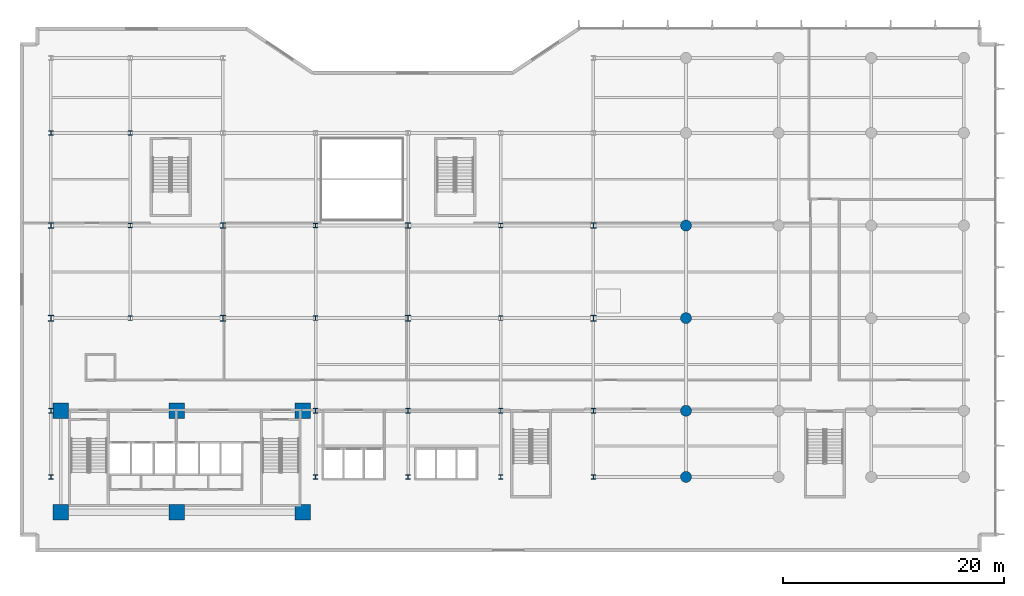
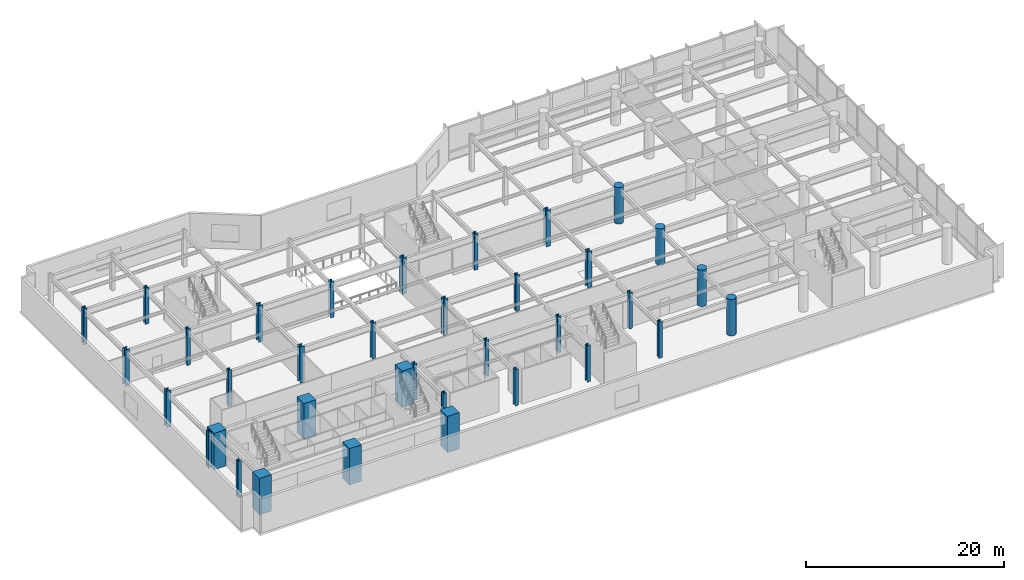
# One storey, part 1 of 26: 36 columns.
"""IFC4 building model written with IfcOpenShell, lengths in metres."""

import ifcopenshell
import ifcopenshell.guid

model = None  # the IFC model being written
_history = None  # IfcOwnerHistory: only IFC2X3 demands one
_inside = {}  # id of a spatial element -> (the spatial element, [elements in it])
_under = {}  # id of a project, library or spatial element -> (it, [spatial elements below it])
_declared = {}  # id of a project -> (the project, [libraries it declares])
_typed = {}  # id of a type object -> (the type object, [elements of that type])
_made_of = {}  # id of a material, layer set ... -> (it, [elements and type objects made of it])


def new_model(schema):
    """Start an empty IFC model of exactly this schema.

    Asked for "IFC4X3", IfcOpenShell would pick the latest addendum, in which some entities
    have other attributes; the version numbers below select the first issue.
    IFC2X3 requires an IfcOwnerHistory on every rooted entity: one is made here for all.
    """
    global model, _history
    if schema == "IFC4X3":
        model = ifcopenshell.file(schema_version=(4, 3, 0, 0))
    else:
        model = ifcopenshell.file(schema=schema)
    _inside.clear()
    _under.clear()
    _declared.clear()
    _typed.clear()
    _made_of.clear()
    _history = None
    if model.schema == "IFC2X3":
        org = make("IfcOrganization", Name="unknown")
        user = make(
            "IfcPersonAndOrganization",
            ThePerson=make("IfcPerson", FamilyName="unknown"),
            TheOrganization=org,
        )
        app = make(
            "IfcApplication",
            ApplicationDeveloper=org,
            Version="unknown",
            ApplicationFullName="unknown",
            ApplicationIdentifier="unknown",
        )
        _history = make(
            "IfcOwnerHistory",
            OwningUser=user,
            OwningApplication=app,
            ChangeAction="ADDED",
            CreationDate=0,
        )
    return model


def make(cls, **values):
    """One entity of the class cls with the attributes given. An attribute that is None is left unset."""
    return model.create_entity(
        cls, **{name: value for name, value in values.items() if value is not None}
    )


def rooted(cls, **values):
    """An entity with a GlobalId (a new one), such as an element, a storey or a relation."""
    return make(cls, GlobalId=ifcopenshell.guid.new(), OwnerHistory=_history, **values)


def si_unit(unit_type, name, prefix=None):
    """IfcSIUnit, for example si_unit("LENGTHUNIT", "METRE", prefix="MILLI")."""
    return make("IfcSIUnit", UnitType=unit_type, Prefix=prefix, Name=name)


def assignment(units):
    """IfcUnitAssignment: the units of a project."""
    return None if units is None else make("IfcUnitAssignment", Units=units)


def point(xyz):
    """IfcCartesianPoint."""
    return None if xyz is None else make("IfcCartesianPoint", Coordinates=xyz)


def direction(xyz):
    """IfcDirection."""
    return None if xyz is None else make("IfcDirection", DirectionRatios=xyz)


def frame(location, z_axis=None, x_axis=None):
    """IfcAxis2Placement3D, a coordinate frame: its origin and axes. An axis left out is left unset."""
    return make(
        "IfcAxis2Placement3D",
        Location=point(location),
        Axis=direction(z_axis),
        RefDirection=direction(x_axis),
    )


def frame_2d(location, x_axis=None):
    """IfcAxis2Placement2D, a coordinate frame in the plane: its origin and x axis."""
    return make(
        "IfcAxis2Placement2D", Location=point(location), RefDirection=direction(x_axis)
    )


def origin():
    """The frame at (0, 0, 0) with its axes left unset."""
    return frame((0.0, 0.0, 0.0))


def origin_2d():
    """The frame at (0, 0) in the plane with its x axis left unset."""
    return frame_2d((0.0, 0.0))


def place(relative_to, where):
    """IfcLocalPlacement: puts the frame where relative to a parent placement (None: the world)."""
    return make(
        "IfcLocalPlacement", PlacementRelTo=relative_to, RelativePlacement=where
    )


def context(
    kind, dimensions, precision=None, world=None, true_north=None, identifier=None
):
    """IfcGeometricRepresentationContext, for example the 3D "Model" context."""
    return make(
        "IfcGeometricRepresentationContext",
        ContextIdentifier=identifier,
        ContextType=kind,
        CoordinateSpaceDimension=dimensions,
        Precision=precision,
        WorldCoordinateSystem=world,
        TrueNorth=true_north,
    )


def subcontext(parent, identifier, kind, view, scale=None):
    """IfcGeometricRepresentationSubContext, for example "Body" below "Model"."""
    return make(
        "IfcGeometricRepresentationSubContext",
        ContextIdentifier=identifier,
        ContextType=kind,
        ParentContext=parent,
        TargetScale=scale,
        TargetView=view,
    )


def project(units=None, contexts=None):
    """IfcProject with its units and contexts."""
    return rooted(
        "IfcProject",
        Name="project",
        RepresentationContexts=contexts,
        UnitsInContext=assignment(units),
    )


def spatial(cls, under=None, at=None, **own):
    """A site, building, storey or space (cls), placed at a placement, below another one or the project."""
    s = rooted(cls, ObjectPlacement=at, **own)
    if under is not None:
        _under.setdefault(under.id(), (under, []))[1].append(s)
    return s


def profile(cls, at=None, kind="AREA", **sizes):
    """A parametric profile (cls). Its sizes go by their IFC names, for example OverallWidth=200.0."""
    return make(cls, ProfileType=kind, Position=at, **sizes)


def rectangle(**sizes):
    """IfcRectangleProfileDef."""
    return profile("IfcRectangleProfileDef", **sizes)


def circle(**sizes):
    """IfcCircleProfileDef."""
    return profile("IfcCircleProfileDef", **sizes)


def i_section(**sizes):
    """IfcIShapeProfileDef."""
    return profile("IfcIShapeProfileDef", **sizes)


def extrude(swept, where, along, depth):
    """IfcExtrudedAreaSolid: the profile swept, set in the frame where, extruded along a direction by depth."""
    return make(
        "IfcExtrudedAreaSolid",
        SweptArea=swept,
        Position=where,
        ExtrudedDirection=direction(along),
        Depth=depth,
    )


def shape(context_of_items, identifier, shape_type, items):
    """IfcShapeRepresentation: the items that make up one representation, for example the "Body"."""
    return make(
        "IfcShapeRepresentation",
        ContextOfItems=context_of_items,
        RepresentationIdentifier=identifier,
        RepresentationType=shape_type,
        Items=items,
    )


def material(Name=None, Category=None):
    """IfcMaterial."""
    return make("IfcMaterial", Name=Name, Category=Category)


def material_profile(
    of_material, cross_section, Name=None, Category=None, Priority=None
):
    """IfcMaterialProfile: a cross section and its material."""
    return make(
        "IfcMaterialProfile",
        Name=Name,
        Material=of_material,
        Profile=cross_section,
        Priority=Priority,
        Category=Category,
    )


def profile_set(profiles, Name=None, composite=None):
    """IfcMaterialProfileSet."""
    return make(
        "IfcMaterialProfileSet",
        Name=Name,
        MaterialProfiles=profiles,
        CompositeProfile=composite,
    )


def made_of(thing, what):
    """Note that an element or type object is made of a material, layer set ...; save() writes the relation."""
    if what is not None:
        _made_of.setdefault(what.id(), (what, []))[1].append(thing)
    return thing


def type_object(cls, material=None, **own):
    """A type object (cls), such as IfcWallType, which elements share."""
    return made_of(rooted(cls, **own), material)


def element(
    cls,
    number,
    at=None,
    inside=None,
    cuts=None,
    type_object=None,
    material=None,
    context=None,
    identifier="Body",
    shape_type=None,
    held_by="IfcProductDefinitionShape",
    body=None,
    shapes=None,
    **own,
):
    """One element of the class cls, such as IfcWall. Its Tag is "e" and its number.

    at: its placement. inside: the storey or other place that contains it. cuts: it is an
    opening in that element (IfcRelVoidsElement). A single representation is given by context,
    identifier, shape_type and body (its items); several are given by shapes. held_by: the class
    of the entity that holds the representations. save() writes the other relations.
    """
    e = rooted(cls, Tag="e%d" % number, ObjectPlacement=at, **own)
    if body is not None:
        shapes = [shape(context, identifier, shape_type, body)]
    if shapes is not None:
        e.Representation = make(held_by, Representations=shapes)
    if inside is not None:
        _inside.setdefault(inside.id(), (inside, []))[1].append(e)
    if cuts is not None:
        rooted(
            "IfcRelVoidsElement", RelatingBuildingElement=cuts, RelatedOpeningElement=e
        )
    if type_object is not None:
        _typed.setdefault(type_object.id(), (type_object, []))[1].append(e)
    return made_of(e, material)


def aggregate(whole, parts):
    """IfcRelAggregates: a whole, such as a stair, and the parts it consists of."""
    return rooted("IfcRelAggregates", RelatingObject=whole, RelatedObjects=parts)


def save(model, path):
    """Write the relations noted so far, then the file.

    IfcRelAggregates (storeys below a building ...), IfcRelContainedInSpatialStructure (elements
    in a storey), IfcRelDefinesByType, IfcRelAssociatesMaterial and IfcRelDeclares: one each for
    every whole, place, type object, material and project.
    """
    for whole, parts in _under.values():
        aggregate(whole, parts)
    for where, things in _inside.values():
        rooted(
            "IfcRelContainedInSpatialStructure",
            RelatedElements=things,
            RelatingStructure=where,
        )
    for kind, things in _typed.values():
        rooted("IfcRelDefinesByType", RelatedObjects=things, RelatingType=kind)
    for what, things in _made_of.values():
        rooted("IfcRelAssociatesMaterial", RelatedObjects=things, RelatingMaterial=what)
    for by, libraries in _declared.values():
        rooted("IfcRelDeclares", RelatingContext=by, RelatedDefinitions=libraries)
    model.write(path)


model = new_model("IFC4")

# Units and contexts
model_context = context("Model", 3, precision=1e-05, world=origin(), true_north=direction((0.0, 1.0)))
body_context = subcontext(model_context, "Body", "Model", "MODEL_VIEW")
ifc_project = project(units=[si_unit("LENGTHUNIT", "METRE"), si_unit("AREAUNIT", "SQUARE_METRE"), si_unit("VOLUMEUNIT", "CUBIC_METRE"), si_unit("PLANEANGLEUNIT", "RADIAN"), si_unit("MASSUNIT", "GRAM", prefix="KILO")], contexts=[model_context])

# Site, building, storey
site_placement = place(None, origin())
site = spatial("IfcSite", under=ifc_project, at=site_placement, CompositionType="ELEMENT")
building_placement = place(site_placement, origin())
building = spatial("IfcBuilding", under=site, at=building_placement, Name="Varnakote Quay Hospital", CompositionType="ELEMENT")
storey_placement = place(building_placement, frame((0.0, 0.0, 4.5)))
storey = spatial("IfcBuildingStorey", under=building, at=storey_placement, Name="L01", CompositionType="ELEMENT", Elevation=4.5)

# Columns
ifc_material_1 = material(Name="Concrete N80 (f'c 80 MPa)", Category="concrete")
ifc_material_profile_1 = material_profile(ifc_material_1, rectangle(XDim=1.39990234375, YDim=1.39990234375, at=origin_2d()), Name="RC-COL-1400x1400")
ifc_profile_set_1 = profile_set([ifc_material_profile_1], Name="Concrete N80 (f'c 80 MPa)")
column_type_1 = type_object("IfcColumnType", Name="COL-RC-1400", PredefinedType="COLUMN", material=ifc_profile_set_1)
for number, where, z_axis, x_axis, name in (
    (1, (2.10009765625, 2.800048828125, 0.0), (0.0, 0.0, 1.0), (1.0, 0.0, 0.0), "L01 Structural Column C-2-3"),
    (2, (12.6201171875, 2.800048828125, 0.0), (0.0, 0.0, 1.0), (1.0, 0.0, 0.0), "L01 Structural Column C-13-3"),
    (3, (24.050048828125, 2.800048828125, 0.0), (0.0, 0.0, 1.0), (1.0, 0.0, 0.0), "L01 Structural Column C-24-3"),
    (4, (2.10009765625, 12.0, 0.0), (0.0, 0.0, 1.0), (1.0, 0.0, 0.0), "L01 Structural Column C-2-12"),
    (5, (12.6201171875, 12.0, 0.0), (0.0, 0.0, 1.0), (1.0, 0.0, 0.0), "L01 Structural Column C-13-12"),
    (6, (24.050048828125, 12.0, 0.0), (0.0, 0.0, 1.0), (1.0, 0.0, 0.0), "L01 Structural Column C-24-12"),
):
    element("IfcColumn", number, at=place(storey_placement, frame(where, z_axis=z_axis, x_axis=x_axis)), inside=storey, type_object=column_type_1, Name=name, PredefinedType="COLUMN", context=body_context, shape_type="SweptSolid", body=[
        extrude(rectangle(XDim=1.39990234375, YDim=1.39990234375, at=origin_2d()), origin(), (0.0, 0.0, 1.0), 4.5),
    ])
ifc_material_2 = material(Name="Concrete N65 (f'c 65 MPa)", Category="concrete")
ifc_material_profile_2 = material_profile(ifc_material_2, circle(Radius=0.5, at=origin_2d()), Name="RC-COL-D1000")
ifc_profile_set_2 = profile_set([ifc_material_profile_2], Name="Concrete N65 (f'c 65 MPa)")
column_type_2 = type_object("IfcColumnType", Name="COL-RC-D1000", PredefinedType="COLUMN", material=ifc_profile_set_2)
for number, where, z_axis, x_axis, name in (
    (7, (58.800048828125, 6.0, 0.0), (0.0, 0.0, 1.0), (1.0, 0.0, 0.0), "L01 Structural Column C-59-6"),
    (8, (58.800048828125, 12.0, 0.0), (0.0, 0.0, 1.0), (1.0, 0.0, 0.0), "L01 Structural Column C-59-12"),
    (9, (58.800048828125, 20.39990234375, 0.0), (0.0, 0.0, 1.0), (1.0, 0.0, 0.0), "L01 Structural Column C-59-20"),
    (10, (58.800048828125, 28.800048828125, 0.0), (0.0, 0.0, 1.0), (1.0, 0.0, 0.0), "L01 Structural Column C-59-29"),
):
    element("IfcColumn", number, at=place(storey_placement, frame(where, z_axis=z_axis, x_axis=x_axis)), inside=storey, type_object=column_type_2, Name=name, PredefinedType="COLUMN", context=body_context, shape_type="SweptSolid", body=[
        extrude(circle(Radius=0.5, at=origin_2d()), origin(), (0.0, 0.0, 1.0), 4.5),
    ])
ifc_material_3 = material(Name="Structural steel AS/NZS 3678 Grade 350 (fy 340 MPa)", Category="steel")
ifc_material_profile_3 = material_profile(ifc_material_3, i_section(OverallWidth=0.39990234375, OverallDepth=0.419921875, WebThickness=0.02490234375, FlangeThickness=0.0400390625, at=origin_2d()), Name="400WC328")
ifc_profile_set_3 = profile_set([ifc_material_profile_3], Name="Structural steel AS/NZS 3678 Grade 350 (fy 340 MPa)")
column_type_3 = type_object("IfcColumnType", Name="COL-STL-400WC328", PredefinedType="COLUMN", material=ifc_profile_set_3)
for number, where, z_axis, x_axis, name in (
    (11, (1.199951171875, 6.0, 0.0), (0.0, 0.0, 1.0), (1.0, 0.0, 0.0), "L01 Structural Column C-1-6"),
    (12, (25.199951171875, 6.0, 0.0), (0.0, 0.0, 1.0), (1.0, 0.0, 0.0), "L01 Structural Column C-25-6"),
    (13, (33.60009765625, 6.0, 0.0), (0.0, 0.0, 1.0), (1.0, 0.0, 0.0), "L01 Structural Column C-34-6"),
    (14, (42.0, 6.0, 0.0), (0.0, 0.0, 1.0), (1.0, 0.0, 0.0), "L01 Structural Column C-42-6"),
    (15, (50.39990234375, 6.0, 0.0), (0.0, 0.0, 1.0), (1.0, 0.0, 0.0), "L01 Structural Column C-50-6"),
    (16, (1.199951171875, 12.0, 0.0), (0.0, 0.0, 1.0), (1.0, 0.0, 0.0), "L01 Structural Column C-1-12"),
    (17, (25.199951171875, 12.0, 0.0), (0.0, 0.0, 1.0), (1.0, 0.0, 0.0), "L01 Structural Column C-25-12"),
    (18, (33.60009765625, 12.0, 0.0), (0.0, 0.0, 1.0), (1.0, 0.0, 0.0), "L01 Structural Column C-34-12"),
    (19, (42.0, 12.0, 0.0), (0.0, 0.0, 1.0), (1.0, 0.0, 0.0), "L01 Structural Column C-42-12"),
    (20, (50.39990234375, 12.0, 0.0), (0.0, 0.0, 1.0), (1.0, 0.0, 0.0), "L01 Structural Column C-50-12"),
    (21, (8.39990234375, 20.39990234375, 0.0), (0.0, 0.0, 1.0), (1.0, 0.0, 0.0), "L01 Structural Column C-8-20"),
    (22, (25.199951171875, 20.39990234375, 0.0), (0.0, 0.0, 1.0), (1.0, 0.0, 0.0), "L01 Structural Column C-25-20"),
    (23, (42.0, 20.39990234375, 0.0), (0.0, 0.0, 1.0), (1.0, 0.0, 0.0), "L01 Structural Column C-42-20"),
    (24, (8.39990234375, 28.800048828125, 0.0), (0.0, 0.0, 1.0), (1.0, 0.0, 0.0), "L01 Structural Column C-8-29"),
    (25, (25.199951171875, 28.800048828125, 0.0), (0.0, 0.0, 1.0), (1.0, 0.0, 0.0), "L01 Structural Column C-25-29"),
    (26, (42.0, 28.800048828125, 0.0), (0.0, 0.0, 1.0), (1.0, 0.0, 0.0), "L01 Structural Column C-42-29"),
    (27, (1.199951171875, 37.199951171875, 0.0), (0.0, 0.0, 1.0), (1.0, 0.0, 0.0), "L01 Structural Column C-1-37"),
    (28, (8.39990234375, 37.199951171875, 0.0), (0.0, 0.0, 1.0), (1.0, 0.0, 0.0), "L01 Structural Column C-8-37"),
):
    element("IfcColumn", number, at=place(storey_placement, frame(where, z_axis=z_axis, x_axis=x_axis)), inside=storey, type_object=column_type_3, Name=name, PredefinedType="COLUMN", context=body_context, shape_type="SweptSolid", body=[
        extrude(i_section(OverallWidth=0.39990234375, OverallDepth=0.419921875, WebThickness=0.02490234375, FlangeThickness=0.0400390625, at=origin_2d()), origin(), (0.0, 0.0, 1.0), 4.5),
    ])
ifc_material_4 = material(Name="Structural steel AS/NZS 3678 Grade 350 (fy 340 MPa)", Category="steel")
ifc_material_profile_4 = material_profile(ifc_material_4, i_section(OverallWidth=0.5, OverallDepth=0.530029296875, WebThickness=0.028076171875, FlangeThickness=0.044921875, at=origin_2d()), Name="500WC440")
ifc_profile_set_4 = profile_set([ifc_material_profile_4], Name="Structural steel AS/NZS 3678 Grade 350 (fy 340 MPa)")
column_type_4 = type_object("IfcColumnType", Name="COL-STL-500WC440", PredefinedType="COLUMN", material=ifc_profile_set_4)
for number, where, z_axis, x_axis, name in (
    (29, (1.199951171875, 20.39990234375, 0.0), (0.0, 0.0, 1.0), (1.0, 0.0, 0.0), "L01 Structural Column C-1-20"),
    (30, (16.800048828125, 20.39990234375, 0.0), (0.0, 0.0, 1.0), (1.0, 0.0, 0.0), "L01 Structural Column C-17-20"),
    (31, (33.60009765625, 20.39990234375, 0.0), (0.0, 0.0, 1.0), (1.0, 0.0, 0.0), "L01 Structural Column C-34-20"),
    (32, (50.39990234375, 20.39990234375, 0.0), (0.0, 0.0, 1.0), (1.0, 0.0, 0.0), "L01 Structural Column C-50-20"),
    (33, (1.199951171875, 28.800048828125, 0.0), (0.0, 0.0, 1.0), (1.0, 0.0, 0.0), "L01 Structural Column C-1-29"),
    (34, (16.800048828125, 28.800048828125, 0.0), (0.0, 0.0, 1.0), (1.0, 0.0, 0.0), "L01 Structural Column C-17-29"),
    (35, (33.60009765625, 28.800048828125, 0.0), (0.0, 0.0, 1.0), (1.0, 0.0, 0.0), "L01 Structural Column C-34-29"),
    (36, (50.39990234375, 28.800048828125, 0.0), (0.0, 0.0, 1.0), (1.0, 0.0, 0.0), "L01 Structural Column C-50-29"),
):
    element("IfcColumn", number, at=place(storey_placement, frame(where, z_axis=z_axis, x_axis=x_axis)), inside=storey, type_object=column_type_4, Name=name, PredefinedType="COLUMN", context=body_context, shape_type="SweptSolid", body=[
        extrude(i_section(OverallWidth=0.5, OverallDepth=0.530029296875, WebThickness=0.028076171875, FlangeThickness=0.044921875, at=origin_2d()), origin(), (0.0, 0.0, 1.0), 4.5),
    ])

save(model, "model.ifc")
